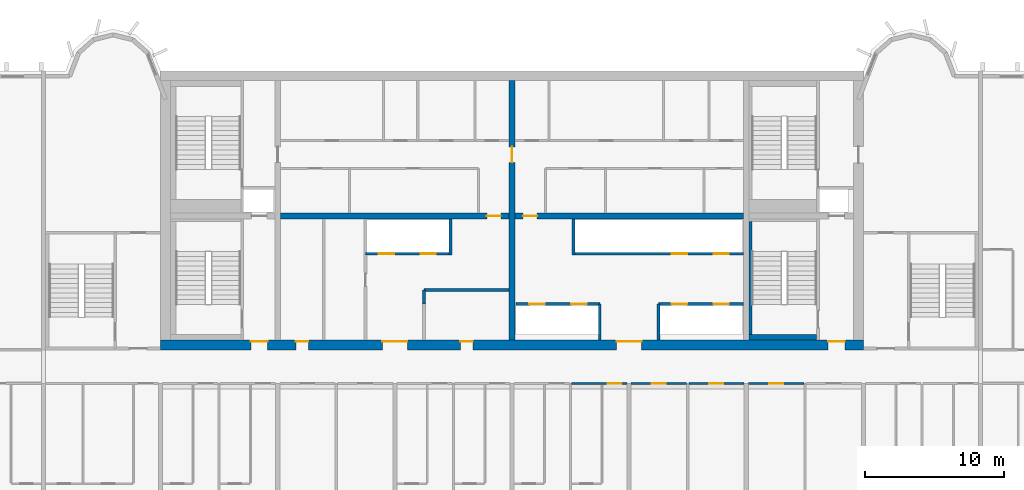
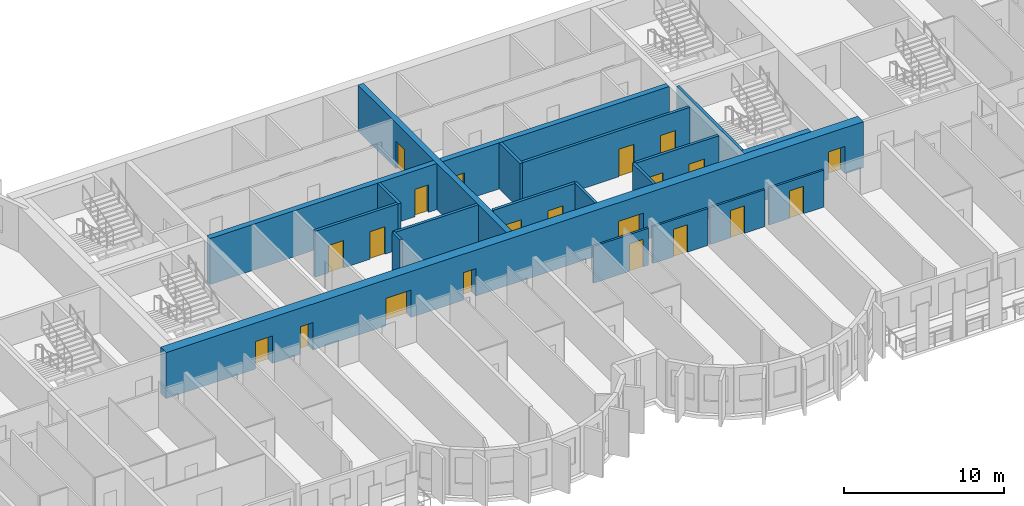
# One storey, part 6 of 13: 21 doors, 20 walls, 21 openings.
"""IFC4 building model written with IfcOpenShell, lengths in metres."""

import ifcopenshell
import ifcopenshell.guid

model = None  # the IFC model being written
_history = None  # IfcOwnerHistory: only IFC2X3 demands one
_inside = {}  # id of a spatial element -> (the spatial element, [elements in it])
_under = {}  # id of a project, library or spatial element -> (it, [spatial elements below it])
_declared = {}  # id of a project -> (the project, [libraries it declares])
_typed = {}  # id of a type object -> (the type object, [elements of that type])
_made_of = {}  # id of a material, layer set ... -> (it, [elements and type objects made of it])


def new_model(schema):
    """Start an empty IFC model of exactly this schema.

    Asked for "IFC4X3", IfcOpenShell would pick the latest addendum, in which some entities
    have other attributes; the version numbers below select the first issue.
    IFC2X3 requires an IfcOwnerHistory on every rooted entity: one is made here for all.
    """
    global model, _history
    if schema == "IFC4X3":
        model = ifcopenshell.file(schema_version=(4, 3, 0, 0))
    else:
        model = ifcopenshell.file(schema=schema)
    _inside.clear()
    _under.clear()
    _declared.clear()
    _typed.clear()
    _made_of.clear()
    _history = None
    if model.schema == "IFC2X3":
        org = make("IfcOrganization", Name="unknown")
        user = make(
            "IfcPersonAndOrganization",
            ThePerson=make("IfcPerson", FamilyName="unknown"),
            TheOrganization=org,
        )
        app = make(
            "IfcApplication",
            ApplicationDeveloper=org,
            Version="unknown",
            ApplicationFullName="unknown",
            ApplicationIdentifier="unknown",
        )
        _history = make(
            "IfcOwnerHistory",
            OwningUser=user,
            OwningApplication=app,
            ChangeAction="ADDED",
            CreationDate=0,
        )
    return model


def make(cls, **values):
    """One entity of the class cls with the attributes given. An attribute that is None is left unset."""
    return model.create_entity(
        cls, **{name: value for name, value in values.items() if value is not None}
    )


def rooted(cls, **values):
    """An entity with a GlobalId (a new one), such as an element, a storey or a relation."""
    return make(cls, GlobalId=ifcopenshell.guid.new(), OwnerHistory=_history, **values)


def si_unit(unit_type, name, prefix=None):
    """IfcSIUnit, for example si_unit("LENGTHUNIT", "METRE", prefix="MILLI")."""
    return make("IfcSIUnit", UnitType=unit_type, Prefix=prefix, Name=name)


def assignment(units):
    """IfcUnitAssignment: the units of a project."""
    return None if units is None else make("IfcUnitAssignment", Units=units)


def point(xyz):
    """IfcCartesianPoint."""
    return None if xyz is None else make("IfcCartesianPoint", Coordinates=xyz)


def direction(xyz):
    """IfcDirection."""
    return None if xyz is None else make("IfcDirection", DirectionRatios=xyz)


def frame(location, z_axis=None, x_axis=None):
    """IfcAxis2Placement3D, a coordinate frame: its origin and axes. An axis left out is left unset."""
    return make(
        "IfcAxis2Placement3D",
        Location=point(location),
        Axis=direction(z_axis),
        RefDirection=direction(x_axis),
    )


def frame_2d(location, x_axis=None):
    """IfcAxis2Placement2D, a coordinate frame in the plane: its origin and x axis."""
    return make(
        "IfcAxis2Placement2D", Location=point(location), RefDirection=direction(x_axis)
    )


def origin():
    """The frame at (0, 0, 0) with its axes left unset."""
    return frame((0.0, 0.0, 0.0))


def place(relative_to, where):
    """IfcLocalPlacement: puts the frame where relative to a parent placement (None: the world)."""
    return make(
        "IfcLocalPlacement", PlacementRelTo=relative_to, RelativePlacement=where
    )


def context(
    kind, dimensions, precision=None, world=None, true_north=None, identifier=None
):
    """IfcGeometricRepresentationContext, for example the 3D "Model" context."""
    return make(
        "IfcGeometricRepresentationContext",
        ContextIdentifier=identifier,
        ContextType=kind,
        CoordinateSpaceDimension=dimensions,
        Precision=precision,
        WorldCoordinateSystem=world,
        TrueNorth=true_north,
    )


def subcontext(parent, identifier, kind, view, scale=None):
    """IfcGeometricRepresentationSubContext, for example "Body" below "Model"."""
    return make(
        "IfcGeometricRepresentationSubContext",
        ContextIdentifier=identifier,
        ContextType=kind,
        ParentContext=parent,
        TargetScale=scale,
        TargetView=view,
    )


def project(units=None, contexts=None):
    """IfcProject with its units and contexts."""
    return rooted(
        "IfcProject",
        Name="project",
        RepresentationContexts=contexts,
        UnitsInContext=assignment(units),
    )


def spatial(cls, under=None, at=None, **own):
    """A site, building, storey or space (cls), placed at a placement, below another one or the project."""
    s = rooted(cls, ObjectPlacement=at, **own)
    if under is not None:
        _under.setdefault(under.id(), (under, []))[1].append(s)
    return s


def profile(cls, at=None, kind="AREA", **sizes):
    """A parametric profile (cls). Its sizes go by their IFC names, for example OverallWidth=200.0."""
    return make(cls, ProfileType=kind, Position=at, **sizes)


def rectangle(**sizes):
    """IfcRectangleProfileDef."""
    return profile("IfcRectangleProfileDef", **sizes)


def extrude(swept, where, along, depth):
    """IfcExtrudedAreaSolid: the profile swept, set in the frame where, extruded along a direction by depth."""
    return make(
        "IfcExtrudedAreaSolid",
        SweptArea=swept,
        Position=where,
        ExtrudedDirection=direction(along),
        Depth=depth,
    )


def shape(context_of_items, identifier, shape_type, items):
    """IfcShapeRepresentation: the items that make up one representation, for example the "Body"."""
    return make(
        "IfcShapeRepresentation",
        ContextOfItems=context_of_items,
        RepresentationIdentifier=identifier,
        RepresentationType=shape_type,
        Items=items,
    )


def source(mapping_origin, context_of_items, identifier, shape_type, items):
    """IfcRepresentationMap: a shape defined once, which mapped items show again and again."""
    return make(
        "IfcRepresentationMap",
        MappingOrigin=mapping_origin,
        MappedRepresentation=shape(context_of_items, identifier, shape_type, items),
    )


def transform(
    local_origin,
    x_axis=None,
    y_axis=None,
    z_axis=None,
    scale=None,
    scale2=None,
    scale3=None,
    uniform=True,
):
    """IfcCartesianTransformationOperator3D, or its non-uniform kind. x_axis, y_axis, z_axis: its Axis1, 2, 3."""
    if uniform:
        return make(
            "IfcCartesianTransformationOperator3D",
            Axis1=direction(x_axis),
            Axis2=direction(y_axis),
            LocalOrigin=point(local_origin),
            Scale=scale,
            Axis3=direction(z_axis),
        )
    return make(
        "IfcCartesianTransformationOperator3DnonUniform",
        Axis1=direction(x_axis),
        Axis2=direction(y_axis),
        LocalOrigin=point(local_origin),
        Scale=scale,
        Axis3=direction(z_axis),
        Scale2=scale2,
        Scale3=scale3,
    )


def mapped(mapping_source, mapping_target):
    """IfcMappedItem: shows the shape of a source again, moved by a transform."""
    return make(
        "IfcMappedItem", MappingSource=mapping_source, MappingTarget=mapping_target
    )


def material(Name=None, Category=None):
    """IfcMaterial."""
    return make("IfcMaterial", Name=Name, Category=Category)


def layer(
    of_material, thickness, ventilated=None, Name=None, Category=None, Priority=None
):
    """IfcMaterialLayer: one layer of a wall or slab, of a material (None: an air gap)."""
    return make(
        "IfcMaterialLayer",
        Material=of_material,
        LayerThickness=thickness,
        IsVentilated=ventilated,
        Name=Name,
        Category=Category,
        Priority=Priority,
    )


def layer_set(layers, Name=None):
    """IfcMaterialLayerSet."""
    return make("IfcMaterialLayerSet", MaterialLayers=layers, LayerSetName=Name)


def made_of(thing, what):
    """Note that an element or type object is made of a material, layer set ...; save() writes the relation."""
    if what is not None:
        _made_of.setdefault(what.id(), (what, []))[1].append(thing)
    return thing


def type_object(cls, material=None, **own):
    """A type object (cls), such as IfcWallType, which elements share."""
    return made_of(rooted(cls, **own), material)


def element(
    cls,
    number,
    at=None,
    inside=None,
    cuts=None,
    type_object=None,
    material=None,
    context=None,
    identifier="Body",
    shape_type=None,
    held_by="IfcProductDefinitionShape",
    body=None,
    shapes=None,
    **own,
):
    """One element of the class cls, such as IfcWall. Its Tag is "e" and its number.

    at: its placement. inside: the storey or other place that contains it. cuts: it is an
    opening in that element (IfcRelVoidsElement). A single representation is given by context,
    identifier, shape_type and body (its items); several are given by shapes. held_by: the class
    of the entity that holds the representations. save() writes the other relations.
    """
    e = rooted(cls, Tag="e%d" % number, ObjectPlacement=at, **own)
    if body is not None:
        shapes = [shape(context, identifier, shape_type, body)]
    if shapes is not None:
        e.Representation = make(held_by, Representations=shapes)
    if inside is not None:
        _inside.setdefault(inside.id(), (inside, []))[1].append(e)
    if cuts is not None:
        rooted(
            "IfcRelVoidsElement", RelatingBuildingElement=cuts, RelatedOpeningElement=e
        )
    if type_object is not None:
        _typed.setdefault(type_object.id(), (type_object, []))[1].append(e)
    return made_of(e, material)


def fill(opening, filler):
    """IfcRelFillsElement: the door or window that sits in an opening."""
    return rooted(
        "IfcRelFillsElement",
        RelatingOpeningElement=opening,
        RelatedBuildingElement=filler,
    )


def aggregate(whole, parts):
    """IfcRelAggregates: a whole, such as a stair, and the parts it consists of."""
    return rooted("IfcRelAggregates", RelatingObject=whole, RelatedObjects=parts)


def save(model, path):
    """Write the relations noted so far, then the file.

    IfcRelAggregates (storeys below a building ...), IfcRelContainedInSpatialStructure (elements
    in a storey), IfcRelDefinesByType, IfcRelAssociatesMaterial and IfcRelDeclares: one each for
    every whole, place, type object, material and project.
    """
    for whole, parts in _under.values():
        aggregate(whole, parts)
    for where, things in _inside.values():
        rooted(
            "IfcRelContainedInSpatialStructure",
            RelatedElements=things,
            RelatingStructure=where,
        )
    for kind, things in _typed.values():
        rooted("IfcRelDefinesByType", RelatedObjects=things, RelatingType=kind)
    for what, things in _made_of.values():
        rooted("IfcRelAssociatesMaterial", RelatedObjects=things, RelatingMaterial=what)
    for by, libraries in _declared.values():
        rooted("IfcRelDeclares", RelatingContext=by, RelatedDefinitions=libraries)
    model.write(path)


model = new_model("IFC4")

# Units and contexts
model_context = context("Model", 3, precision=1e-05, world=origin(), true_north=direction((0.0, 1.0)))
body_context = subcontext(model_context, "Body", "Model", "MODEL_VIEW")
ifc_project = project(units=[si_unit("LENGTHUNIT", "METRE"), si_unit("AREAUNIT", "SQUARE_METRE"), si_unit("VOLUMEUNIT", "CUBIC_METRE"), si_unit("PLANEANGLEUNIT", "RADIAN"), si_unit("MASSUNIT", "GRAM", prefix="KILO")], contexts=[model_context])

# Site, building, storey
site_placement = place(None, origin())
site = spatial("IfcSite", under=ifc_project, at=site_placement, CompositionType="ELEMENT")
building_placement = place(site_placement, origin())
building = spatial("IfcBuilding", under=site, at=building_placement, Name="Vanashikhar Sky Hotel", CompositionType="ELEMENT")
storey_placement = place(building_placement, frame((0.0, 0.0, 163.0)))
storey = spatial("IfcBuildingStorey", under=building, at=storey_placement, Name="L39", CompositionType="ELEMENT", Elevation=163.0)

# Wall, opening, door
ifc_material_1 = material(Name="Concrete M60", Category="concrete")
ifc_layer_1 = layer(ifc_material_1, 0.39990234375)
ifc_layer_set_1 = layer_set([ifc_layer_1], Name="RC core inner wall 400 Concrete M60")
wall_type_1 = type_object("IfcWallType", Name="RC core inner wall 400 Concrete M60", PredefinedType="SHEAR", material=ifc_layer_set_1)
shared_shape_1 = source(origin(), body_context, "Body", "SweptSolid", [
    extrude(rectangle(XDim=18.60009765625, YDim=0.39990234375, at=frame_2d((9.300048828125, 0.0))), origin(), (0.0, 0.0, 1.0), 3.52001953125),
])
wall_1_placement = place(storey_placement, frame((50.39990234375, 22.699951171875, 0.0), z_axis=(0.0, 0.0, 1.0), x_axis=(0.0, 1.0, 0.0)))
wall_1 = element("IfcWall", 1, at=wall_1_placement, inside=storey, type_object=wall_type_1, Name="KW-L39-KX2", PredefinedType="SHEAR", context=body_context, shape_type="MappedRepresentation", body=[
    mapped(shared_shape_1, transform((0.0, 0.0, 0.0), scale=1.0)),
])
shared_shape_2 = source(origin(), body_context, "Body", "SweptSolid", [
    extrude(rectangle(XDim=1.10009765625, YDim=2.10009765625, at=frame_2d((0.550048828125, 1.050048828125))), frame((0.0, 0.2099609375, 0.0), z_axis=(0.0, -1.0, 0.0), x_axis=(1.0, 0.0, 0.0)), (0.0, 0.0, 1.0), 0.419921875),
])
opening_1_placement = place(wall_1_placement, frame((12.75, 0.0, 0.0)))
opening_1 = element("IfcOpeningElement", 2, at=opening_1_placement, cuts=wall_1, Name="Opening DC-4-C", PredefinedType="OPENING", context=body_context, shape_type="MappedRepresentation", body=[
    mapped(shared_shape_2, transform((0.0, 0.0, 0.0), scale=1.0)),
])
ifc_material_2 = material(Name="Steel", Category="steel")
door_type_1 = type_object("IfcDoorType", Name="Service door 1100 FD60", OperationType="NOTDEFINED", PredefinedType="DOOR", material=ifc_material_2)
shared_shape_3 = source(origin(), body_context, "Body", "SweptSolid", [
    extrude(rectangle(XDim=1.10009765625, YDim=2.10009765625, at=frame_2d((0.550048828125, 1.050048828125))), frame((0.0, 0.02490234375, 0.0), z_axis=(0.0, -1.0, 0.0), x_axis=(1.0, 0.0, 0.0)), (0.0, 0.0, 1.0), 0.050048828125),
])
door_1_placement = place(opening_1_placement, origin())
door_1 = element("IfcDoor", 3, at=door_1_placement, inside=storey, type_object=door_type_1, Name="Service door 1100 FD60", OperationType="SINGLE_SWING_LEFT", OverallHeight=2.10009765625, OverallWidth=1.10009765625, PredefinedType="DOOR", context=body_context, shape_type="MappedRepresentation", body=[
    mapped(shared_shape_3, transform((0.0, 0.0, 0.0), scale=1.0)),
])
fill(opening_1, door_1)

# Wall, openings, doors
ifc_layer_2 = layer(ifc_material_1, 0.699951171875)
ifc_layer_set_2 = layer_set([ifc_layer_2], Name="RC core shell wall 700 Concrete M60")
wall_type_2 = type_object("IfcWallType", Name="RC core shell wall 700 Concrete M60", PredefinedType="SHEAR", material=ifc_layer_set_2)
shared_shape_4 = source(origin(), body_context, "Body", "SweptSolid", [
    extrude(rectangle(XDim=50.400146484375, YDim=0.699951171875, at=frame_2d((25.2001953125, 0.0))), origin(), (0.0, 0.0, 1.0), 3.52001953125),
])
wall_2_placement = place(storey_placement, frame((25.199951171875, 22.35009765625, 0.0), z_axis=(0.0, 0.0, 1.0), x_axis=(1.0, 0.0, 0.0)))
wall_2 = element("IfcWall", 4, at=wall_2_placement, inside=storey, type_object=wall_type_2, Name="KW-L39-KS", PredefinedType="SHEAR", context=body_context, shape_type="MappedRepresentation", body=[
    mapped(shared_shape_4, transform((0.0, 0.0, 0.0), scale=1.0)),
])
shared_shape_5 = source(origin(), body_context, "Body", "SweptSolid", [
    extrude(rectangle(XDim=1.800048828125, YDim=2.10009765625, at=frame_2d((0.89990234375, 1.050048828125))), frame((0.0, 0.35986328125, 0.0), z_axis=(0.0, -1.0, 0.0), x_axis=(1.0, 0.0, 0.0)), (0.0, 0.0, 1.0), 0.719970703125),
])
opening_2_placement = place(wall_2_placement, frame((15.89990234375, 0.0, 0.0)))
opening_2 = element("IfcOpeningElement", 5, at=opening_2_placement, cuts=wall_2, Name="Opening DC-3-A", PredefinedType="OPENING", context=body_context, shape_type="MappedRepresentation", body=[
    mapped(shared_shape_5, transform((0.0, 0.0, 0.0), scale=1.0)),
])
shared_shape_6 = source(origin(), body_context, "Body", "SweptSolid", [
    extrude(rectangle(XDim=0.89990234375, YDim=2.10009765625, at=frame_2d((0.449951171875, 1.050048828125))), frame((0.0, 0.35986328125, 0.0), z_axis=(0.0, -1.0, 0.0), x_axis=(1.0, 0.0, 0.0)), (0.0, 0.0, 1.0), 0.719970703125),
])
opening_3_placement = place(wall_2_placement, frame((9.699951171875, 0.0, 0.0)))
opening_3 = element("IfcOpeningElement", 6, at=opening_3_placement, cuts=wall_2, Name="Opening DC-4-A", PredefinedType="OPENING", context=body_context, shape_type="MappedRepresentation", body=[
    mapped(shared_shape_6, transform((0.0, 0.0, 0.0), scale=1.0)),
])
opening_4_placement = place(wall_2_placement, frame((21.5, 0.0, 0.0)))
opening_4 = element("IfcOpeningElement", 7, at=opening_4_placement, cuts=wall_2, Name="Opening DC-4-A", PredefinedType="OPENING", context=body_context, shape_type="MappedRepresentation", body=[
    mapped(shared_shape_6, transform((0.0, 0.0, 0.0), scale=1.0)),
])
opening_5_placement = place(wall_2_placement, frame((32.699951171875, 0.0, 0.0)))
opening_5 = element("IfcOpeningElement", 8, at=opening_5_placement, cuts=wall_2, Name="Opening DC-3-A", PredefinedType="OPENING", context=body_context, shape_type="MappedRepresentation", body=[
    mapped(shared_shape_5, transform((0.0, 0.0, 0.0), scale=1.0)),
])
shared_shape_7 = source(origin(), body_context, "Body", "SweptSolid", [
    extrude(rectangle(XDim=1.199951171875, YDim=2.10009765625, at=frame_2d((0.60009765625, 1.050048828125))), frame((0.0, 0.35986328125, 0.0), z_axis=(0.0, -1.0, 0.0), x_axis=(1.0, 0.0, 0.0)), (0.0, 0.0, 1.0), 0.719970703125),
])
opening_6_placement = place(wall_2_placement, frame((6.47509765625, 0.0, 0.0)))
opening_6 = element("IfcOpeningElement", 9, at=opening_6_placement, cuts=wall_2, Name="Opening DC-2", PredefinedType="OPENING", context=body_context, shape_type="MappedRepresentation", body=[
    mapped(shared_shape_7, transform((0.0, 0.0, 0.0), scale=1.0)),
])
opening_7_placement = place(wall_2_placement, frame((47.875, 0.0, 0.0)))
opening_7 = element("IfcOpeningElement", 10, at=opening_7_placement, cuts=wall_2, Name="Opening DC-2", PredefinedType="OPENING", context=body_context, shape_type="MappedRepresentation", body=[
    mapped(shared_shape_7, transform((0.0, 0.0, 0.0), scale=1.0)),
])
ifc_material_3 = material(Name="Glass", Category="glass")
door_type_2 = type_object("IfcDoorType", Name="Lift lobby entrance door 1800 FD30S", OperationType="NOTDEFINED", PredefinedType="DOOR", material=ifc_material_3)
shared_shape_8 = source(origin(), body_context, "Body", "SweptSolid", [
    extrude(rectangle(XDim=1.800048828125, YDim=2.10009765625, at=frame_2d((0.89990234375, 1.050048828125))), frame((0.0, 0.27490234375, 0.0), z_axis=(0.0, -1.0, 0.0), x_axis=(1.0, 0.0, 0.0)), (0.0, 0.0, 1.0), 0.050048828125),
])
door_2_placement = place(opening_2_placement, origin())
door_2 = element("IfcDoor", 11, at=door_2_placement, inside=storey, type_object=door_type_2, Name="Lift lobby entrance door 1800 FD30S", OperationType="DOUBLE_DOOR_SINGLE_SWING", OverallHeight=2.10009765625, OverallWidth=1.800048828125, PredefinedType="DOOR", context=body_context, shape_type="MappedRepresentation", body=[
    mapped(shared_shape_8, transform((0.0, 0.0, 0.0), scale=1.0)),
])
fill(opening_2, door_2)
door_3_placement = place(opening_5_placement, origin())
door_3 = element("IfcDoor", 12, at=door_3_placement, inside=storey, type_object=door_type_2, Name="Lift lobby entrance door 1800 FD30S", OperationType="DOUBLE_DOOR_SINGLE_SWING", OverallHeight=2.10009765625, OverallWidth=1.800048828125, PredefinedType="DOOR", context=body_context, shape_type="MappedRepresentation", body=[
    mapped(shared_shape_8, transform((0.0, 0.0, 0.0), scale=1.0)),
])
fill(opening_5, door_3)
door_type_3 = type_object("IfcDoorType", Name="Firefighting lobby door 1200 FD120", OperationType="NOTDEFINED", PredefinedType="DOOR", material=ifc_material_2)
shared_shape_9 = source(origin(), body_context, "Body", "SweptSolid", [
    extrude(rectangle(XDim=1.199951171875, YDim=2.10009765625, at=frame_2d((0.60009765625, 1.050048828125))), frame((0.0, 0.27490234375, 0.0), z_axis=(0.0, -1.0, 0.0), x_axis=(1.0, 0.0, 0.0)), (0.0, 0.0, 1.0), 0.050048828125),
])
door_4_placement = place(opening_6_placement, origin())
door_4 = element("IfcDoor", 13, at=door_4_placement, inside=storey, type_object=door_type_3, Name="Firefighting lobby door 1200 FD120", OperationType="SINGLE_SWING_LEFT", OverallHeight=2.10009765625, OverallWidth=1.199951171875, PredefinedType="DOOR", context=body_context, shape_type="MappedRepresentation", body=[
    mapped(shared_shape_9, transform((0.0, 0.0, 0.0), scale=1.0)),
])
fill(opening_6, door_4)
door_5_placement = place(opening_7_placement, origin())
door_5 = element("IfcDoor", 14, at=door_5_placement, inside=storey, type_object=door_type_3, Name="Firefighting lobby door 1200 FD120", OperationType="SINGLE_SWING_LEFT", OverallHeight=2.10009765625, OverallWidth=1.199951171875, PredefinedType="DOOR", context=body_context, shape_type="MappedRepresentation", body=[
    mapped(shared_shape_9, transform((0.0, 0.0, 0.0), scale=1.0)),
])
fill(opening_7, door_5)
door_type_4 = type_object("IfcDoorType", Name="Service door 900 FD60", OperationType="NOTDEFINED", PredefinedType="DOOR", material=ifc_material_2)
shared_shape_10 = source(origin(), body_context, "Body", "SweptSolid", [
    extrude(rectangle(XDim=0.89990234375, YDim=2.10009765625, at=frame_2d((0.449951171875, 1.050048828125))), frame((0.0, 0.27490234375, 0.0), z_axis=(0.0, -1.0, 0.0), x_axis=(1.0, 0.0, 0.0)), (0.0, 0.0, 1.0), 0.050048828125),
])
door_6_placement = place(opening_3_placement, origin())
door_6 = element("IfcDoor", 15, at=door_6_placement, inside=storey, type_object=door_type_4, Name="Service door 900 FD60", OperationType="SINGLE_SWING_LEFT", OverallHeight=2.10009765625, OverallWidth=0.89990234375, PredefinedType="DOOR", context=body_context, shape_type="MappedRepresentation", body=[
    mapped(shared_shape_10, transform((0.0, 0.0, 0.0), scale=1.0)),
])
fill(opening_3, door_6)
door_7_placement = place(opening_4_placement, origin())
door_7 = element("IfcDoor", 16, at=door_7_placement, inside=storey, type_object=door_type_4, Name="Service door 900 FD60", OperationType="SINGLE_SWING_LEFT", OverallHeight=2.10009765625, OverallWidth=0.89990234375, PredefinedType="DOOR", context=body_context, shape_type="MappedRepresentation", body=[
    mapped(shared_shape_10, transform((0.0, 0.0, 0.0), scale=1.0)),
])
fill(opening_4, door_7)

# Wall, opening, door
shared_shape_11 = source(origin(), body_context, "Body", "SweptSolid", [
    extrude(rectangle(XDim=16.39990234375, YDim=0.39990234375, at=frame_2d((8.199951171875, 0.0))), origin(), (0.0, 0.0, 1.0), 3.52001953125),
])
wall_3_placement = place(storey_placement, frame((33.800048828125, 31.60009765625, 0.0), z_axis=(0.0, 0.0, 1.0), x_axis=(1.0, 0.0, 0.0)))
wall_3 = element("IfcWall", 17, at=wall_3_placement, inside=storey, type_object=wall_type_1, Name="KW-L39-KY2", PredefinedType="SHEAR", context=body_context, shape_type="MappedRepresentation", body=[
    mapped(shared_shape_11, transform((0.0, 0.0, 0.0), scale=1.0)),
])
shared_shape_12 = source(origin(), body_context, "Body", "SweptSolid", [
    extrude(rectangle(XDim=1.0, YDim=2.10009765625, at=frame_2d((0.5, 1.050048828125))), frame((0.0, 0.2099609375, 0.0), z_axis=(0.0, -1.0, 0.0), x_axis=(1.0, 0.0, 0.0)), (0.0, 0.0, 1.0), 0.419921875),
])
opening_8_placement = place(wall_3_placement, frame((14.800048828125, 0.0, 0.0)))
opening_8 = element("IfcOpeningElement", 18, at=opening_8_placement, cuts=wall_3, Name="Opening DC-4", PredefinedType="OPENING", context=body_context, shape_type="MappedRepresentation", body=[
    mapped(shared_shape_12, transform((0.0, 0.0, 0.0), scale=1.0)),
])
door_type_5 = type_object("IfcDoorType", Name="Service door 1000 FD60", OperationType="NOTDEFINED", PredefinedType="DOOR", material=ifc_material_2)
shared_shape_13 = source(origin(), body_context, "Body", "SweptSolid", [
    extrude(rectangle(XDim=1.0, YDim=2.10009765625, at=frame_2d((0.5, 1.050048828125))), frame((0.0, 0.02490234375, 0.0), z_axis=(0.0, -1.0, 0.0), x_axis=(1.0, 0.0, 0.0)), (0.0, 0.0, 1.0), 0.050048828125),
])
door_8_placement = place(opening_8_placement, origin())
door_8 = element("IfcDoor", 19, at=door_8_placement, inside=storey, type_object=door_type_5, Name="Service door 1000 FD60", OperationType="SINGLE_SWING_LEFT", OverallHeight=2.10009765625, OverallWidth=1.0, PredefinedType="DOOR", context=body_context, shape_type="MappedRepresentation", body=[
    mapped(shared_shape_13, transform((0.0, 0.0, 0.0), scale=1.0)),
])
fill(opening_8, door_8)

wall_4_placement = place(storey_placement, frame((50.60009765625, 31.60009765625, 0.0), z_axis=(0.0, 0.0, 1.0), x_axis=(1.0, 0.0, 0.0)))
wall_4 = element("IfcWall", 20, at=wall_4_placement, inside=storey, type_object=wall_type_1, Name="KW-L39-KY3", PredefinedType="SHEAR", context=body_context, shape_type="MappedRepresentation", body=[
    mapped(shared_shape_11, transform((0.0, 0.0, 0.0), scale=1.0)),
])
opening_9_placement = place(wall_4_placement, frame((0.60009765625, 0.0, 0.0)))
opening_9 = element("IfcOpeningElement", 21, at=opening_9_placement, cuts=wall_4, Name="Opening DC-4", PredefinedType="OPENING", context=body_context, shape_type="MappedRepresentation", body=[
    mapped(shared_shape_12, transform((0.0, 0.0, 0.0), scale=1.0)),
])
door_9_placement = place(opening_9_placement, origin())
door_9 = element("IfcDoor", 22, at=door_9_placement, inside=storey, type_object=door_type_5, Name="Service door 1000 FD60", OperationType="SINGLE_SWING_RIGHT", OverallHeight=2.10009765625, OverallWidth=1.0, PredefinedType="DOOR", context=body_context, shape_type="MappedRepresentation", body=[
    mapped(shared_shape_13, transform((0.0, 0.0, 0.0), scale=1.0)),
])
fill(opening_9, door_9)

# Wall, openings, doors
ifc_material_4 = material(Name="Concrete M40", Category="concrete")
ifc_layer_3 = layer(ifc_material_4, 0.199951171875)
ifc_layer_set_3 = layer_set([ifc_layer_3], Name="Shaft wall 200")
wall_type_3 = type_object("IfcWallType", Name="Shaft wall 200", PredefinedType="SOLIDWALL", material=ifc_layer_set_3)
shared_shape_14 = source(origin(), body_context, "Body", "SweptSolid", [
    extrude(rectangle(XDim=6.0, YDim=0.199951171875, at=frame_2d((3.0, 0.0))), origin(), (0.0, 0.0, 1.0), 3.52001953125),
])
wall_5_placement = place(storey_placement, frame((39.89990234375, 28.89990234375, 0.0), z_axis=(0.0, 0.0, 1.0), x_axis=(1.0, 0.0, 0.0)))
wall_5 = element("IfcWall", 23, at=wall_5_placement, inside=storey, type_object=wall_type_3, Name="Shaft wall 200", PredefinedType="SOLIDWALL", context=body_context, shape_type="MappedRepresentation", body=[
    mapped(shared_shape_14, transform((0.0, 0.0, 0.0), scale=1.0)),
])
shared_shape_15 = source(origin(), body_context, "Body", "SweptSolid", [
    extrude(rectangle(XDim=1.10009765625, YDim=2.10009765625, at=frame_2d((0.550048828125, 1.050048828125))), frame((0.0, 0.10986328125, 0.0), z_axis=(0.0, -1.0, 0.0), x_axis=(1.0, 0.0, 0.0)), (0.0, 0.0, 1.0), 0.219970703125),
])
opening_10_placement = place(wall_5_placement, frame((0.949951171875, 0.0, 0.0)))
opening_10 = element("IfcOpeningElement", 24, at=opening_10_placement, cuts=wall_5, Name="Opening LD", PredefinedType="OPENING", context=body_context, shape_type="MappedRepresentation", body=[
    mapped(shared_shape_15, transform((0.0, 0.0, 0.0), scale=1.0)),
])
opening_11_placement = place(wall_5_placement, frame((3.949951171875, 0.0, 0.0)))
opening_11 = element("IfcOpeningElement", 25, at=opening_11_placement, cuts=wall_5, Name="Opening LD", PredefinedType="OPENING", context=body_context, shape_type="MappedRepresentation", body=[
    mapped(shared_shape_15, transform((0.0, 0.0, 0.0), scale=1.0)),
])
ifc_material_5 = material(Name="Stainless steel", Category="steel")
door_type_6 = type_object("IfcDoorType", Name="Lift landing door 1100", OperationType="NOTDEFINED", PredefinedType="DOOR", material=ifc_material_5)
door_10_placement = place(opening_10_placement, origin())
door_10 = element("IfcDoor", 26, at=door_10_placement, inside=storey, type_object=door_type_6, Name="Lift landing door 1100", OperationType="SLIDING_TO_LEFT", OverallHeight=2.10009765625, OverallWidth=1.10009765625, PredefinedType="DOOR", context=body_context, shape_type="MappedRepresentation", body=[
    mapped(shared_shape_3, transform((0.0, 0.0, 0.0), scale=1.0)),
])
fill(opening_10, door_10)
door_11_placement = place(opening_11_placement, origin())
door_11 = element("IfcDoor", 27, at=door_11_placement, inside=storey, type_object=door_type_6, Name="Lift landing door 1100", OperationType="SLIDING_TO_RIGHT", OverallHeight=2.10009765625, OverallWidth=1.10009765625, PredefinedType="DOOR", context=body_context, shape_type="MappedRepresentation", body=[
    mapped(shared_shape_3, transform((0.0, 0.0, 0.0), scale=1.0)),
])
fill(opening_11, door_11)

wall_6_placement = place(storey_placement, frame((56.699951171875, 25.300048828125, 0.0), z_axis=(0.0, 0.0, 1.0), x_axis=(-1.0, 0.0, 0.0)))
wall_6 = element("IfcWall", 28, at=wall_6_placement, inside=storey, type_object=wall_type_3, Name="Shaft wall 200", PredefinedType="SOLIDWALL", context=body_context, shape_type="MappedRepresentation", body=[
    mapped(shared_shape_14, transform((0.0, 0.0, 0.0), scale=1.0)),
])
opening_12_placement = place(wall_6_placement, frame((0.949951171875, 0.0, 0.0)))
opening_12 = element("IfcOpeningElement", 29, at=opening_12_placement, cuts=wall_6, Name="Opening LD", PredefinedType="OPENING", context=body_context, shape_type="MappedRepresentation", body=[
    mapped(shared_shape_15, transform((0.0, 0.0, 0.0), scale=1.0)),
])
opening_13_placement = place(wall_6_placement, frame((3.949951171875, 0.0, 0.0)))
opening_13 = element("IfcOpeningElement", 30, at=opening_13_placement, cuts=wall_6, Name="Opening LD", PredefinedType="OPENING", context=body_context, shape_type="MappedRepresentation", body=[
    mapped(shared_shape_15, transform((0.0, 0.0, 0.0), scale=1.0)),
])
door_12_placement = place(opening_12_placement, origin())
door_12 = element("IfcDoor", 31, at=door_12_placement, inside=storey, type_object=door_type_6, Name="Lift landing door 1100", OperationType="SLIDING_TO_RIGHT", OverallHeight=2.10009765625, OverallWidth=1.10009765625, PredefinedType="DOOR", context=body_context, shape_type="MappedRepresentation", body=[
    mapped(shared_shape_3, transform((0.0, 0.0, 0.0), scale=1.0)),
])
fill(opening_12, door_12)
door_13_placement = place(opening_13_placement, origin())
door_13 = element("IfcDoor", 32, at=door_13_placement, inside=storey, type_object=door_type_6, Name="Lift landing door 1100", OperationType="SLIDING_TO_LEFT", OverallHeight=2.10009765625, OverallWidth=1.10009765625, PredefinedType="DOOR", context=body_context, shape_type="MappedRepresentation", body=[
    mapped(shared_shape_3, transform((0.0, 0.0, 0.0), scale=1.0)),
])
fill(opening_13, door_13)

# Walls
ifc_material_6 = material(Name="Concrete M50", Category="concrete")
ifc_layer_4 = layer(ifc_material_6, 0.199951171875)
ifc_layer_set_4 = layer_set([ifc_layer_4], Name="Stair infill wall 200")
wall_type_4 = type_object("IfcWallType", Name="Stair infill wall 200", PredefinedType="SOLIDWALL", material=ifc_layer_set_4)
shared_shape_16 = source(origin(), body_context, "Body", "SweptSolid", [
    extrude(rectangle(XDim=8.099853515625, YDim=0.199951171875, at=frame_2d((4.0498046875, 0.0))), origin(), (0.0, 0.0, 1.0), 3.52001953125),
])
wall_7_placement = place(storey_placement, frame((67.5, 23.10009765625, 0.0), z_axis=(0.0, 0.0, 1.0), x_axis=(0.0, 1.0, 0.0)))
element("IfcWall", 33, at=wall_7_placement, inside=storey, type_object=wall_type_4, Name="Stair infill wall 200", PredefinedType="SOLIDWALL", context=body_context, shape_type="MappedRepresentation", body=[
    mapped(shared_shape_16, transform((0.0, 0.0, 0.0), scale=1.0)),
])
shared_shape_17 = source(origin(), body_context, "Body", "SweptSolid", [
    extrude(rectangle(XDim=2.60009765625, YDim=0.199951171875, at=frame_2d((1.300048828125, 0.0))), origin(), (0.0, 0.0, 1.0), 3.52001953125),
])
for number, where, z_axis, x_axis, name in (
    (34, (60.89990234375, 22.699951171875, 0.0), (0.0, 0.0, 1.0), (0.0, 1.0, 0.0), "Shaft wall 200"),
    (35, (56.699951171875, 22.699951171875, 0.0), (0.0, 0.0, 1.0), (0.0, 1.0, 0.0), "Shaft wall 200"),
):
    element("IfcWall", number, at=place(storey_placement, frame(where, z_axis=z_axis, x_axis=x_axis)), inside=storey, type_object=wall_type_3, Name=name, PredefinedType="SOLIDWALL", context=body_context, shape_type="MappedRepresentation", body=[
        mapped(shared_shape_17, transform((0.0, 0.0, 0.0), scale=1.0)),
    ])
shared_shape_18 = source(origin(), body_context, "Body", "SweptSolid", [
    extrude(rectangle(XDim=2.599853515625, YDim=0.199951171875, at=frame_2d((1.2998046875, 0.0))), origin(), (0.0, 0.0, 1.0), 3.52001953125),
])
for number, where, z_axis, x_axis, name in (
    (36, (46.0, 28.800048828125, 0.0), (0.0, 0.0, 1.0), (0.0, 1.0, 0.0), "Shaft wall 200"),
    (37, (54.800048828125, 28.800048828125, 0.0), (0.0, 0.0, 1.0), (0.0, 1.0, 0.0), "Shaft wall 200"),
):
    element("IfcWall", number, at=place(storey_placement, frame(where, z_axis=z_axis, x_axis=x_axis)), inside=storey, type_object=wall_type_3, Name=name, PredefinedType="SOLIDWALL", context=body_context, shape_type="MappedRepresentation", body=[
        mapped(shared_shape_18, transform((0.0, 0.0, 0.0), scale=1.0)),
    ])
ifc_material_7 = material(Name="Gypsum board partition")
ifc_layer_5 = layer(ifc_material_7, 0.14990234375)
ifc_layer_set_5 = layer_set([ifc_layer_5], Name="Service partition 150")
wall_type_5 = type_object("IfcWallType", Name="Service partition 150", PredefinedType="PARTITIONING", material=ifc_layer_set_5)
shared_shape_19 = source(origin(), body_context, "Body", "SweptSolid", [
    extrude(rectangle(XDim=6.099853515625, YDim=0.199951171875, at=frame_2d((3.0498046875, 0.0))), origin(), (0.0, 0.0, 1.0), 3.52001953125),
])
wall_8_placement = place(storey_placement, frame((44.10009765625, 26.300048828125, 0.0), z_axis=(0.0, 0.0, 1.0), x_axis=(1.0, 0.0, 0.0)))
element("IfcWall", 38, at=wall_8_placement, inside=storey, type_object=wall_type_5, Name="Service partition 150", PredefinedType="PARTITIONING", context=body_context, shape_type="MappedRepresentation", body=[
    mapped(shared_shape_19, transform((0.0, 0.0, 0.0), scale=1.0)),
])
shared_shape_20 = source(origin(), body_context, "Body", "SweptSolid", [
    extrude(rectangle(XDim=1.0, YDim=0.199951171875, at=frame_2d((0.5, 0.0))), origin(), (0.0, 0.0, 1.0), 3.52001953125),
])
wall_9_placement = place(storey_placement, frame((44.10009765625, 25.300048828125, 0.0), z_axis=(0.0, 0.0, 1.0), x_axis=(0.0, 1.0, 0.0)))
element("IfcWall", 39, at=wall_9_placement, inside=storey, type_object=wall_type_5, Name="Service partition 150", PredefinedType="PARTITIONING", context=body_context, shape_type="MappedRepresentation", body=[
    mapped(shared_shape_20, transform((0.0, 0.0, 0.0), scale=1.0)),
])

# Wall, openings, doors
shared_shape_21 = source(origin(), body_context, "Body", "SweptSolid", [
    extrude(rectangle(XDim=6.10009765625, YDim=0.199951171875, at=frame_2d((3.050048828125, 0.0))), origin(), (0.0, 0.0, 1.0), 3.52001953125),
])
wall_10_placement = place(storey_placement, frame((67.0, 25.300048828125, 0.0), z_axis=(0.0, 0.0, 1.0), x_axis=(-1.0, 0.0, 0.0)))
wall_10 = element("IfcWall", 40, at=wall_10_placement, inside=storey, type_object=wall_type_3, Name="Shaft wall 200", PredefinedType="SOLIDWALL", context=body_context, shape_type="MappedRepresentation", body=[
    mapped(shared_shape_21, transform((0.0, 0.0, 0.0), scale=1.0)),
])
opening_14_placement = place(wall_10_placement, frame((1.050048828125, 0.0, 0.0)))
opening_14 = element("IfcOpeningElement", 41, at=opening_14_placement, cuts=wall_10, Name="Opening LD", PredefinedType="OPENING", context=body_context, shape_type="MappedRepresentation", body=[
    mapped(shared_shape_15, transform((0.0, 0.0, 0.0), scale=1.0)),
])
opening_15_placement = place(wall_10_placement, frame((4.050048828125, 0.0, 0.0)))
opening_15 = element("IfcOpeningElement", 42, at=opening_15_placement, cuts=wall_10, Name="Opening LD", PredefinedType="OPENING", context=body_context, shape_type="MappedRepresentation", body=[
    mapped(shared_shape_15, transform((0.0, 0.0, 0.0), scale=1.0)),
])
door_14_placement = place(opening_14_placement, origin())
door_14 = element("IfcDoor", 43, at=door_14_placement, inside=storey, type_object=door_type_6, Name="Lift landing door 1100", OperationType="SLIDING_TO_RIGHT", OverallHeight=2.10009765625, OverallWidth=1.10009765625, PredefinedType="DOOR", context=body_context, shape_type="MappedRepresentation", body=[
    mapped(shared_shape_3, transform((0.0, 0.0, 0.0), scale=1.0)),
])
fill(opening_14, door_14)
door_15_placement = place(opening_15_placement, origin())
door_15 = element("IfcDoor", 44, at=door_15_placement, inside=storey, type_object=door_type_6, Name="Lift landing door 1100", OperationType="SLIDING_TO_LEFT", OverallHeight=2.10009765625, OverallWidth=1.10009765625, PredefinedType="DOOR", context=body_context, shape_type="MappedRepresentation", body=[
    mapped(shared_shape_3, transform((0.0, 0.0, 0.0), scale=1.0)),
])
fill(opening_15, door_15)

shared_shape_22 = source(origin(), body_context, "Body", "SweptSolid", [
    extrude(rectangle(XDim=12.10009765625, YDim=0.199951171875, at=frame_2d((6.050048828125, 0.0))), origin(), (0.0, 0.0, 1.0), 3.52001953125),
])
wall_11_placement = place(storey_placement, frame((67.0, 28.89990234375, 0.0), z_axis=(0.0, 0.0, 1.0), x_axis=(-1.0, 0.0, 0.0)))
wall_11 = element("IfcWall", 45, at=wall_11_placement, inside=storey, type_object=wall_type_3, Name="Shaft wall 200", PredefinedType="SOLIDWALL", context=body_context, shape_type="MappedRepresentation", body=[
    mapped(shared_shape_22, transform((0.0, 0.0, 0.0), scale=1.0)),
])
opening_16_placement = place(wall_11_placement, frame((1.050048828125, 0.0, 0.0)))
opening_16 = element("IfcOpeningElement", 46, at=opening_16_placement, cuts=wall_11, Name="Opening LD", PredefinedType="OPENING", context=body_context, shape_type="MappedRepresentation", body=[
    mapped(shared_shape_15, transform((0.0, 0.0, 0.0), scale=1.0)),
])
opening_17_placement = place(wall_11_placement, frame((4.050048828125, 0.0, 0.0)))
opening_17 = element("IfcOpeningElement", 47, at=opening_17_placement, cuts=wall_11, Name="Opening LD", PredefinedType="OPENING", context=body_context, shape_type="MappedRepresentation", body=[
    mapped(shared_shape_15, transform((0.0, 0.0, 0.0), scale=1.0)),
])
door_16_placement = place(opening_16_placement, origin())
door_16 = element("IfcDoor", 48, at=door_16_placement, inside=storey, type_object=door_type_6, Name="Lift landing door 1100", OperationType="SLIDING_TO_RIGHT", OverallHeight=2.10009765625, OverallWidth=1.10009765625, PredefinedType="DOOR", context=body_context, shape_type="MappedRepresentation", body=[
    mapped(shared_shape_3, transform((0.0, 0.0, 0.0), scale=1.0)),
])
fill(opening_16, door_16)
door_17_placement = place(opening_17_placement, origin())
door_17 = element("IfcDoor", 49, at=door_17_placement, inside=storey, type_object=door_type_6, Name="Lift landing door 1100", OperationType="SLIDING_TO_LEFT", OverallHeight=2.10009765625, OverallWidth=1.10009765625, PredefinedType="DOOR", context=body_context, shape_type="MappedRepresentation", body=[
    mapped(shared_shape_3, transform((0.0, 0.0, 0.0), scale=1.0)),
])
fill(opening_17, door_17)

# Wall
ifc_layer_6 = layer(ifc_material_6, 0.39990234375)
ifc_layer_set_6 = layer_set([ifc_layer_6], Name="Stair infill wall 400")
wall_type_6 = type_object("IfcWallType", Name="Stair infill wall 400", PredefinedType="SOLIDWALL", material=ifc_layer_set_6)
shared_shape_23 = source(origin(), body_context, "Body", "SweptSolid", [
    extrude(rectangle(XDim=4.85009765625, YDim=0.39990234375, at=frame_2d((2.425048828125, 0.0))), origin(), (0.0, 0.0, 1.0), 3.52001953125),
])
wall_12_placement = place(storey_placement, frame((67.39990234375, 22.89990234375, 0.0), z_axis=(0.0, 0.0, 1.0), x_axis=(1.0, 0.0, 0.0)))
element("IfcWall", 50, at=wall_12_placement, inside=storey, type_object=wall_type_6, Name="Stair infill wall 400", PredefinedType="SOLIDWALL", context=body_context, shape_type="MappedRepresentation", body=[
    mapped(shared_shape_23, transform((0.0, 0.0, 0.0), scale=1.0)),
])

# Wall, opening, door
ifc_material_8 = material(Name="Gypsum plasterboard partition")
ifc_layer_7 = layer(ifc_material_8, 0.14990234375)
ifc_layer_set_7 = layer_set([ifc_layer_7], Name="Corridor and demising partition 150")
wall_type_7 = type_object("IfcWallType", Name="Corridor and demising partition 150", PredefinedType="PARTITIONING", material=ifc_layer_set_7)
shared_shape_24 = source(origin(), body_context, "Body", "SweptSolid", [
    extrude(rectangle(XDim=3.974853515625, YDim=0.14990234375, at=frame_2d((1.9873046875, 0.0))), origin(), (0.0, 0.0, 1.0), 2.820068359375),
])
wall_13_placement = place(storey_placement, frame((54.675048828125, 19.60009765625, 0.0), z_axis=(0.0, 0.0, 1.0), x_axis=(1.0, 0.0, 0.0)))
wall_13 = element("IfcWall", 51, at=wall_13_placement, inside=storey, type_object=wall_type_7, Name="W-L39-PW036", PredefinedType="PARTITIONING", context=body_context, shape_type="MappedRepresentation", body=[
    mapped(shared_shape_24, transform((0.0, 0.0, 0.0), scale=1.0)),
])
shared_shape_25 = source(origin(), body_context, "Body", "SweptSolid", [
    extrude(rectangle(XDim=1.0, YDim=2.10009765625, at=frame_2d((0.5, 1.050048828125))), frame((0.0, 0.0849609375, 0.0), z_axis=(0.0, -1.0, 0.0), x_axis=(1.0, 0.0, 0.0)), (0.0, 0.0, 1.0), 0.169921875),
])
opening_18_placement = place(wall_13_placement, frame((2.574951171875, 0.0, 0.0)))
opening_18 = element("IfcOpeningElement", 52, at=opening_18_placement, cuts=wall_13, Name="Opening D-01", PredefinedType="OPENING", context=body_context, shape_type="MappedRepresentation", body=[
    mapped(shared_shape_25, transform((0.0, 0.0, 0.0), scale=1.0)),
])
ifc_material_9 = material(Name="Timber fire door", Category="wood")
door_type_7 = type_object("IfcDoorType", Name="Guest entry door 1000 FD30S", OperationType="NOTDEFINED", PredefinedType="DOOR", material=ifc_material_9)
door_18_placement = place(opening_18_placement, origin())
door_18 = element("IfcDoor", 53, at=door_18_placement, inside=storey, type_object=door_type_7, Name="D-L39-022", OperationType="SINGLE_SWING_RIGHT", OverallHeight=2.10009765625, OverallWidth=1.0, PredefinedType="DOOR", context=body_context, shape_type="MappedRepresentation", body=[
    mapped(shared_shape_13, transform((0.0, 0.0, 0.0), scale=1.0)),
])
fill(opening_18, door_18)

wall_14_placement = place(storey_placement, frame((67.35009765625, 19.60009765625, 0.0), z_axis=(0.0, 0.0, 1.0), x_axis=(1.0, 0.0, 0.0)))
wall_14 = element("IfcWall", 54, at=wall_14_placement, inside=storey, type_object=wall_type_7, Name="W-L39-PW041", PredefinedType="PARTITIONING", context=body_context, shape_type="MappedRepresentation", body=[
    mapped(shared_shape_24, transform((0.0, 0.0, 0.0), scale=1.0)),
])
opening_19_placement = place(wall_14_placement, frame((1.488037109375, 0.0, 0.0)))
opening_19 = element("IfcOpeningElement", 55, at=opening_19_placement, cuts=wall_14, Name="Opening D-01", PredefinedType="OPENING", context=body_context, shape_type="MappedRepresentation", body=[
    mapped(shared_shape_25, transform((0.0, 0.0, 0.0), scale=1.0)),
])
door_19_placement = place(opening_19_placement, origin())
door_19 = element("IfcDoor", 56, at=door_19_placement, inside=storey, type_object=door_type_7, Name="D-L39-025", OperationType="SINGLE_SWING_LEFT", OverallHeight=2.10009765625, OverallWidth=1.0, PredefinedType="DOOR", context=body_context, shape_type="MappedRepresentation", body=[
    mapped(shared_shape_13, transform((0.0, 0.0, 0.0), scale=1.0)),
])
fill(opening_19, door_19)

shared_shape_26 = source(origin(), body_context, "Body", "SweptSolid", [
    extrude(rectangle(XDim=3.97509765625, YDim=0.14990234375, at=frame_2d((1.987548828125, 0.0))), origin(), (0.0, 0.0, 1.0), 2.820068359375),
])
wall_15_placement = place(storey_placement, frame((58.949951171875, 19.60009765625, 0.0), z_axis=(0.0, 0.0, 1.0), x_axis=(1.0, 0.0, 0.0)))
wall_15 = element("IfcWall", 57, at=wall_15_placement, inside=storey, type_object=wall_type_7, Name="W-L39-PW038", PredefinedType="PARTITIONING", context=body_context, shape_type="MappedRepresentation", body=[
    mapped(shared_shape_26, transform((0.0, 0.0, 0.0), scale=1.0)),
])
opening_20_placement = place(wall_15_placement, frame((1.487060546875, 0.0, 0.0)))
opening_20 = element("IfcOpeningElement", 58, at=opening_20_placement, cuts=wall_15, Name="Opening D-01", PredefinedType="OPENING", context=body_context, shape_type="MappedRepresentation", body=[
    mapped(shared_shape_25, transform((0.0, 0.0, 0.0), scale=1.0)),
])
door_20_placement = place(opening_20_placement, origin())
door_20 = element("IfcDoor", 59, at=door_20_placement, inside=storey, type_object=door_type_7, Name="D-L39-023", OperationType="SINGLE_SWING_LEFT", OverallHeight=2.10009765625, OverallWidth=1.0, PredefinedType="DOOR", context=body_context, shape_type="MappedRepresentation", body=[
    mapped(shared_shape_13, transform((0.0, 0.0, 0.0), scale=1.0)),
])
fill(opening_20, door_20)

wall_16_placement = place(storey_placement, frame((63.074951171875, 19.60009765625, 0.0), z_axis=(0.0, 0.0, 1.0), x_axis=(1.0, 0.0, 0.0)))
wall_16 = element("IfcWall", 60, at=wall_16_placement, inside=storey, type_object=wall_type_7, Name="W-L39-PW039", PredefinedType="PARTITIONING", context=body_context, shape_type="MappedRepresentation", body=[
    mapped(shared_shape_26, transform((0.0, 0.0, 0.0), scale=1.0)),
])
opening_21_placement = place(wall_16_placement, frame((1.487060546875, 0.0, 0.0)))
opening_21 = element("IfcOpeningElement", 61, at=opening_21_placement, cuts=wall_16, Name="Opening D-01", PredefinedType="OPENING", context=body_context, shape_type="MappedRepresentation", body=[
    mapped(shared_shape_25, transform((0.0, 0.0, 0.0), scale=1.0)),
])
door_21_placement = place(opening_21_placement, origin())
door_21 = element("IfcDoor", 62, at=door_21_placement, inside=storey, type_object=door_type_7, Name="D-L39-024", OperationType="SINGLE_SWING_RIGHT", OverallHeight=2.10009765625, OverallWidth=1.0, PredefinedType="DOOR", context=body_context, shape_type="MappedRepresentation", body=[
    mapped(shared_shape_13, transform((0.0, 0.0, 0.0), scale=1.0)),
])
fill(opening_21, door_21)

save(model, "model.ifc")
